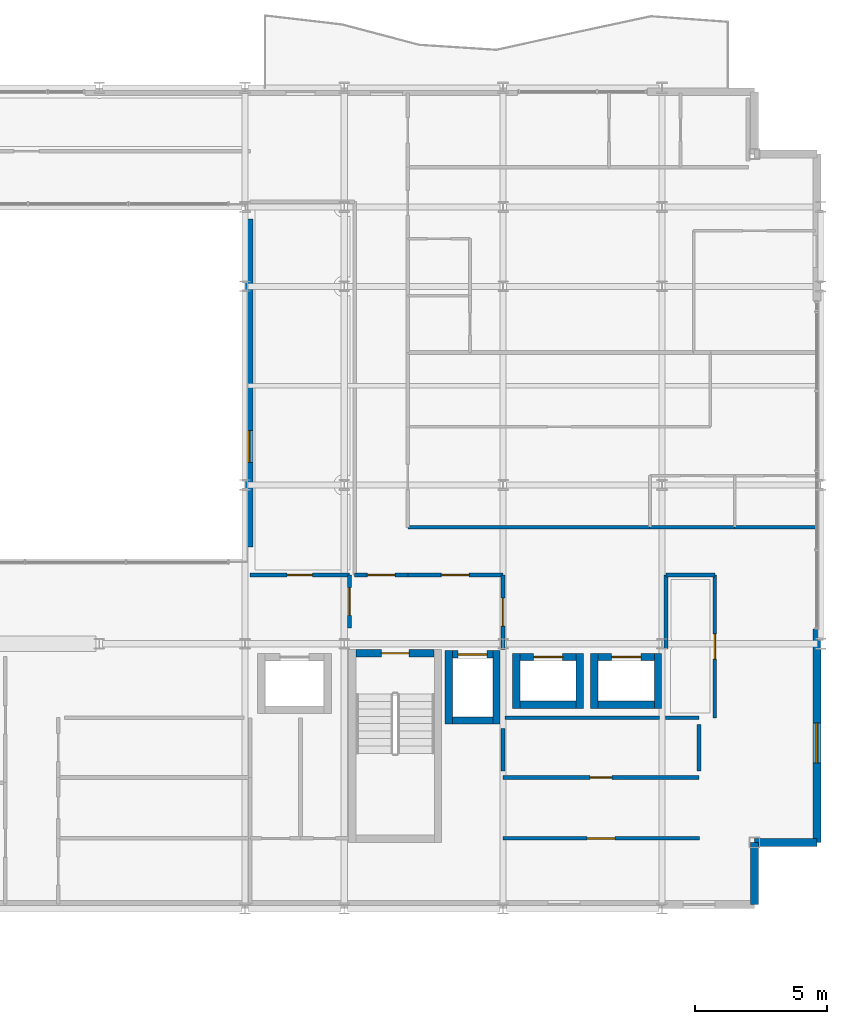
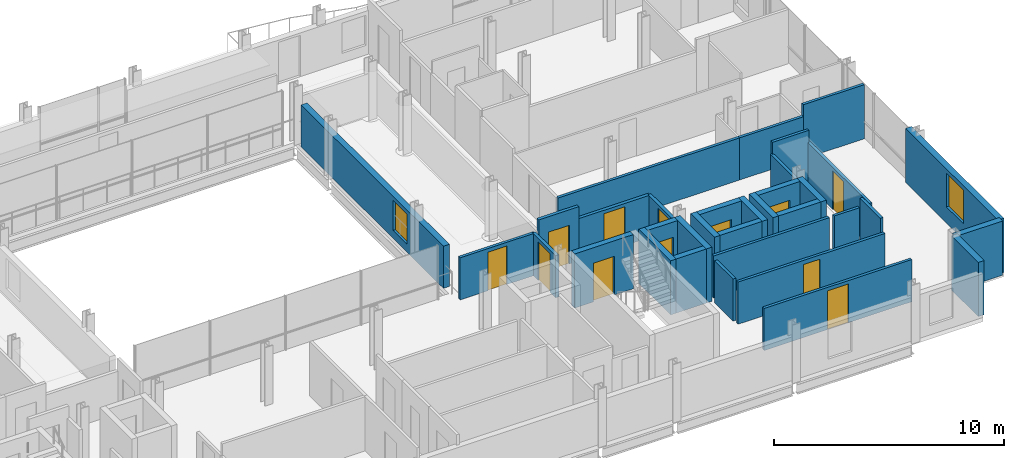
# One storey, part 36 of 41: 34 walls, 12 doors, 2 windows, 14 openings.
"""IFC4 building model written with IfcOpenShell, lengths in metres."""

from ifc_helpers import new_model, si_unit, direction, frame, frame_2d, origin, place, context, subcontext, project, spatial, rectangle, extrude, material, layer, layer_set, type_object, element, fill, save


model = new_model("IFC4")

# Units and contexts
model_context = context("Model", 3, precision=1e-05, world=origin(), true_north=direction((0.0, 1.0)))
body_context = subcontext(model_context, "Body", "Model", "MODEL_VIEW")
ifc_project = project(units=[si_unit("LENGTHUNIT", "METRE"), si_unit("AREAUNIT", "SQUARE_METRE"), si_unit("VOLUMEUNIT", "CUBIC_METRE"), si_unit("PLANEANGLEUNIT", "RADIAN"), si_unit("MASSUNIT", "GRAM", prefix="KILO")], contexts=[model_context])

# Site, building, storey
site_placement = place(None, origin())
site = spatial("IfcSite", under=ifc_project, at=site_placement, CompositionType="ELEMENT")
building_placement = place(site_placement, origin())
building = spatial("IfcBuilding", under=site, at=building_placement, Name="Brevholm Reach", CompositionType="ELEMENT")
storey_placement = place(building_placement, frame((0.0, 0.0, 151.10009765625)))
storey = spatial("IfcBuildingStorey", under=building, at=storey_placement, Name="L45", CompositionType="ELEMENT", Elevation=151.10009765625)

# Wall, opening, door
ifc_material_1 = material(Name="Concrete C50/60", Category="concrete")
ifc_layer_1 = layer(ifc_material_1, 0.280029296875)
ifc_layer_set_1 = layer_set([ifc_layer_1], Name="Concrete C50/60")
wall_type_1 = type_object("IfcWallType", Name="WAL-COR-280", PredefinedType="SHEAR", material=ifc_layer_set_1)
wall_1_placement = place(storey_placement, frame((45.39990234375, 9.639892578125, 0.0), z_axis=(0.0, 0.0, 1.0), x_axis=(-1.0, 0.0, 0.0)))
wall_1 = element("IfcWall", 1, at=wall_1_placement, inside=storey, type_object=wall_type_1, Name="L45 Escape Stair ST-2 Core Wall N", PredefinedType="SHEAR", context=body_context, shape_type="SweptSolid", body=[
    extrude(rectangle(XDim=2.949951171875, YDim=0.280029296875, at=frame_2d((1.47509765625, 0.0))), origin(), (0.0, 0.0, 1.0), 2.8798828125),
])
opening_1_placement = place(wall_1_placement, frame((0.949951171875, 0.0, 0.0)))
opening_1 = element("IfcOpeningElement", 2, at=opening_1_placement, cuts=wall_1, Name="Opening SD-ST-2", PredefinedType="OPENING", context=body_context, shape_type="SweptSolid", body=[
    extrude(rectangle(XDim=1.050048828125, YDim=2.06005859375, at=frame_2d((0.52490234375, 1.030029296875))), frame((0.0, 0.14990234375, 0.0), z_axis=(0.0, -1.0, 0.0), x_axis=(1.0, 0.0, 0.0)), (0.0, 0.0, 1.0), 0.300048828125),
])
ifc_material_2 = material(Name="Hardwood-Lipped Steel-Core Fire and Smoke Door", Category="steel")
door_type_1 = type_object("IfcDoorType", Name="DOR-INT-FD60S", OperationType="NOTDEFINED", PredefinedType="DOOR", material=ifc_material_2)
door_1_placement = place(opening_1_placement, origin())
door_1 = element("IfcDoor", 3, at=door_1_placement, inside=storey, type_object=door_type_1, Name="L45 Protected Stair ST-2 Lobby Door", OperationType="SINGLE_SWING_RIGHT", OverallHeight=2.06005859375, OverallWidth=1.050048828125, PredefinedType="DOOR", context=body_context, shape_type="SweptSolid", body=[
    extrude(rectangle(XDim=1.050048828125, YDim=2.06005859375, at=frame_2d((0.52490234375, 1.030029296875))), frame((0.0, 0.02490234375, 0.0), z_axis=(0.0, -1.0, 0.0), x_axis=(1.0, 0.0, 0.0)), (0.0, 0.0, 1.0), 0.050048828125),
])
fill(opening_1, door_1)

# Walls
for number, where, z_axis, x_axis, name in (
    (4, (45.949951171875, 6.9599609375, 0.0), (0.0, 0.0, 1.0), (0.0, 1.0, 0.0), "L45 Lift FFL-2 Shaft Wall W"),
    (5, (47.75, 6.9599609375, 0.0), (0.0, 0.0, 1.0), (0.0, 1.0, 0.0), "L45 Lift FFL-2 Shaft Wall E"),
):
    element("IfcWall", number, at=place(storey_placement, frame(where, z_axis=z_axis, x_axis=x_axis)), inside=storey, type_object=wall_type_1, Name=name, PredefinedType="SHEAR", context=body_context, shape_type="SweptSolid", body=[
        extrude(rectangle(XDim=2.780029296875, YDim=0.280029296875, at=frame_2d((1.39013671875, 0.0))), origin(), (0.0, 0.0, 1.0), 2.8798828125),
    ])
wall_2_placement = place(storey_placement, frame((46.090087890625, 7.10009765625, 0.0), z_axis=(0.0, 0.0, 1.0), x_axis=(1.0, 0.0, 0.0)))
element("IfcWall", 6, at=wall_2_placement, inside=storey, type_object=wall_type_1, Name="L45 Lift FFL-2 Shaft Wall S", PredefinedType="SHEAR", context=body_context, shape_type="SweptSolid", body=[
    extrude(rectangle(XDim=1.52001953125, YDim=0.280029296875, at=frame_2d((0.760009765625, 0.0))), origin(), (0.0, 0.0, 1.0), 2.8798828125),
])

# Wall, opening, door
wall_3_placement = place(storey_placement, frame((46.090087890625, 9.60009765625, 0.0), z_axis=(0.0, 0.0, 1.0), x_axis=(1.0, 0.0, 0.0)))
wall_3 = element("IfcWall", 7, at=wall_3_placement, inside=storey, type_object=wall_type_1, Name="L45 Lift FFL-2 Shaft Wall N", PredefinedType="SHEAR", context=body_context, shape_type="SweptSolid", body=[
    extrude(rectangle(XDim=1.52001953125, YDim=0.280029296875, at=frame_2d((0.760009765625, 0.0))), origin(), (0.0, 0.0, 1.0), 2.8798828125),
])
opening_2_placement = place(wall_3_placement, frame((0.2099609375, 0.0, 0.0)))
opening_2 = element("IfcOpeningElement", 8, at=opening_2_placement, cuts=wall_3, Name="Opening LD-FFL-2", PredefinedType="OPENING", context=body_context, shape_type="SweptSolid", body=[
    extrude(rectangle(XDim=1.10009765625, YDim=2.06005859375, at=frame_2d((0.550048828125, 1.030029296875))), frame((0.0, 0.14990234375, 0.0), z_axis=(0.0, -1.0, 0.0), x_axis=(1.0, 0.0, 0.0)), (0.0, 0.0, 1.0), 0.300048828125),
])
ifc_material_3 = material(Name="Brushed Stainless Steel Fire-Rated Sliding Lift Door", Category="steel")
door_type_2 = type_object("IfcDoorType", Name="DOR-LFT-1100", OperationType="NOTDEFINED", PredefinedType="DOOR", material=ifc_material_3)
door_2_placement = place(opening_2_placement, origin())
door_2 = element("IfcDoor", 9, at=door_2_placement, inside=storey, type_object=door_type_2, Name="L45 Lift FFL-2 Sliding Landing Door", OperationType="SLIDING_TO_RIGHT", OverallHeight=2.06005859375, OverallWidth=1.10009765625, PredefinedType="DOOR", context=body_context, shape_type="SweptSolid", body=[
    extrude(rectangle(XDim=1.10009765625, YDim=2.06005859375, at=frame_2d((0.550048828125, 1.030029296875))), frame((0.0, 0.02490234375, 0.0), z_axis=(0.0, -1.0, 0.0), x_axis=(1.0, 0.0, 0.0)), (0.0, 0.0, 1.0), 0.050048828125),
])
fill(opening_2, door_2)

# Walls
for number, where, z_axis, x_axis, name in (
    (10, (48.5, 7.56005859375, 0.0), (0.0, 0.0, 1.0), (0.0, 1.0, 0.0), "L45 Lift PL-H1 Shaft Wall W"),
    (11, (50.89990234375, 7.56005859375, 0.0), (0.0, 0.0, 1.0), (0.0, 1.0, 0.0), "L45 Lift PL-H1 Shaft Wall E"),
):
    element("IfcWall", number, at=place(storey_placement, frame(where, z_axis=z_axis, x_axis=x_axis)), inside=storey, type_object=wall_type_1, Name=name, PredefinedType="SHEAR", context=body_context, shape_type="SweptSolid", body=[
        extrude(rectangle(XDim=2.079833984375, YDim=0.280029296875, at=frame_2d((1.0400390625, 0.0))), origin(), (0.0, 0.0, 1.0), 2.8798828125),
    ])
wall_4_placement = place(storey_placement, frame((48.639892578125, 7.699951171875, 0.0), z_axis=(0.0, 0.0, 1.0), x_axis=(1.0, 0.0, 0.0)))
element("IfcWall", 12, at=wall_4_placement, inside=storey, type_object=wall_type_1, Name="L45 Lift PL-H1 Shaft Wall S", PredefinedType="SHEAR", context=body_context, shape_type="SweptSolid", body=[
    extrude(rectangle(XDim=2.1201171875, YDim=0.280029296875, at=frame_2d((1.06005859375, 0.0))), origin(), (0.0, 0.0, 1.0), 2.8798828125),
])

# Wall, opening, door
wall_5_placement = place(storey_placement, frame((48.639892578125, 9.5, 0.0), z_axis=(0.0, 0.0, 1.0), x_axis=(1.0, 0.0, 0.0)))
wall_5 = element("IfcWall", 13, at=wall_5_placement, inside=storey, type_object=wall_type_1, Name="L45 Lift PL-H1 Shaft Wall N", PredefinedType="SHEAR", context=body_context, shape_type="SweptSolid", body=[
    extrude(rectangle(XDim=2.1201171875, YDim=0.280029296875, at=frame_2d((1.06005859375, 0.0))), origin(), (0.0, 0.0, 1.0), 2.8798828125),
])
opening_3_placement = place(wall_5_placement, frame((0.510009765625, 0.0, 0.0)))
opening_3 = element("IfcOpeningElement", 14, at=opening_3_placement, cuts=wall_5, Name="Opening LD-PL-H1", PredefinedType="OPENING", context=body_context, shape_type="SweptSolid", body=[
    extrude(rectangle(XDim=1.10009765625, YDim=2.06005859375, at=frame_2d((0.550048828125, 1.030029296875))), frame((0.0, 0.14990234375, 0.0), z_axis=(0.0, -1.0, 0.0), x_axis=(1.0, 0.0, 0.0)), (0.0, 0.0, 1.0), 0.300048828125),
])
door_3_placement = place(opening_3_placement, origin())
door_3 = element("IfcDoor", 15, at=door_3_placement, inside=storey, type_object=door_type_2, Name="L45 Lift PL-H1 Sliding Landing Door", OperationType="SLIDING_TO_RIGHT", OverallHeight=2.06005859375, OverallWidth=1.10009765625, PredefinedType="DOOR", context=body_context, shape_type="SweptSolid", body=[
    extrude(rectangle(XDim=1.10009765625, YDim=2.06005859375, at=frame_2d((0.550048828125, 1.030029296875))), frame((0.0, 0.02490234375, 0.0), z_axis=(0.0, -1.0, 0.0), x_axis=(1.0, 0.0, 0.0)), (0.0, 0.0, 1.0), 0.050048828125),
])
fill(opening_3, door_3)

# Walls
for number, where, z_axis, x_axis, name in (
    (16, (51.449951171875, 7.56005859375, 0.0), (0.0, 0.0, 1.0), (0.0, 1.0, 0.0), "L45 Lift PL-H2 Shaft Wall W"),
    (17, (53.85009765625, 7.56005859375, 0.0), (0.0, 0.0, 1.0), (0.0, 1.0, 0.0), "L45 Lift PL-H2 Shaft Wall E"),
):
    element("IfcWall", number, at=place(storey_placement, frame(where, z_axis=z_axis, x_axis=x_axis)), inside=storey, type_object=wall_type_1, Name=name, PredefinedType="SHEAR", context=body_context, shape_type="SweptSolid", body=[
        extrude(rectangle(XDim=2.079833984375, YDim=0.280029296875, at=frame_2d((1.0400390625, 0.0))), origin(), (0.0, 0.0, 1.0), 2.8798828125),
    ])
wall_6_placement = place(storey_placement, frame((51.590087890625, 7.699951171875, 0.0), z_axis=(0.0, 0.0, 1.0), x_axis=(1.0, 0.0, 0.0)))
element("IfcWall", 18, at=wall_6_placement, inside=storey, type_object=wall_type_1, Name="L45 Lift PL-H2 Shaft Wall S", PredefinedType="SHEAR", context=body_context, shape_type="SweptSolid", body=[
    extrude(rectangle(XDim=2.119873046875, YDim=0.280029296875, at=frame_2d((1.06005859375, 0.0))), origin(), (0.0, 0.0, 1.0), 2.8798828125),
])

# Wall, opening, door
wall_7_placement = place(storey_placement, frame((51.590087890625, 9.5, 0.0), z_axis=(0.0, 0.0, 1.0), x_axis=(1.0, 0.0, 0.0)))
wall_7 = element("IfcWall", 19, at=wall_7_placement, inside=storey, type_object=wall_type_1, Name="L45 Lift PL-H2 Shaft Wall N", PredefinedType="SHEAR", context=body_context, shape_type="SweptSolid", body=[
    extrude(rectangle(XDim=2.119873046875, YDim=0.280029296875, at=frame_2d((1.06005859375, 0.0))), origin(), (0.0, 0.0, 1.0), 2.8798828125),
])
opening_4_placement = place(wall_7_placement, frame((0.510009765625, 0.0, 0.0)))
opening_4 = element("IfcOpeningElement", 20, at=opening_4_placement, cuts=wall_7, Name="Opening LD-PL-H2", PredefinedType="OPENING", context=body_context, shape_type="SweptSolid", body=[
    extrude(rectangle(XDim=1.10009765625, YDim=2.06005859375, at=frame_2d((0.550048828125, 1.030029296875))), frame((0.0, 0.14990234375, 0.0), z_axis=(0.0, -1.0, 0.0), x_axis=(1.0, 0.0, 0.0)), (0.0, 0.0, 1.0), 0.300048828125),
])
door_4_placement = place(opening_4_placement, origin())
door_4 = element("IfcDoor", 21, at=door_4_placement, inside=storey, type_object=door_type_2, Name="L45 Lift PL-H2 Sliding Landing Door", OperationType="SLIDING_TO_LEFT", OverallHeight=2.06005859375, OverallWidth=1.10009765625, PredefinedType="DOOR", context=body_context, shape_type="SweptSolid", body=[
    extrude(rectangle(XDim=1.10009765625, YDim=2.06005859375, at=frame_2d((0.550048828125, 1.030029296875))), frame((0.0, 0.02490234375, 0.0), z_axis=(0.0, -1.0, 0.0), x_axis=(1.0, 0.0, 0.0)), (0.0, 0.0, 1.0), 0.050048828125),
])
fill(opening_4, door_4)

# Walls
ifc_material_4 = material(Name="Concrete C40/50", Category="concrete")
ifc_layer_2 = layer(ifc_material_4, 0.300048828125)
ifc_layer_set_2 = layer_set([ifc_layer_2], Name="Concrete C40/50")
wall_type_2 = type_object("IfcWallType", Name="WAL-EXT-300", PredefinedType="STANDARD", material=ifc_layer_set_2)
for number, where, z_axis, x_axis, name in (
    (22, (57.5, 0.14990234375, 0.0), (0.0, 0.0, 1.0), (0.0, 1.0, 0.0), "L45 Facade Wall WAL-L45-CSE1"),
    (23, (57.5, 2.5, 0.0), (0.0, 0.0, 1.0), (1.0, 0.0, 0.0), "L45 Facade Wall WAL-L45-CSE2"),
):
    element("IfcWall", number, at=place(storey_placement, frame(where, z_axis=z_axis, x_axis=x_axis)), inside=storey, type_object=wall_type_2, Name=name, PredefinedType="STANDARD", context=body_context, shape_type="SweptSolid", body=[
        extrude(rectangle(XDim=2.35009765625, YDim=0.300048828125, at=frame_2d((1.175048828125, 0.0))), origin(), (0.0, 0.0, 1.0), 2.8798828125),
    ])

# Wall, opening, window
wall_8_placement = place(storey_placement, frame((59.85009765625, 2.5, 0.0), z_axis=(0.0, 0.0, 1.0), x_axis=(0.0, 1.0, 0.0)))
wall_8 = element("IfcWall", 24, at=wall_8_placement, inside=storey, type_object=wall_type_2, Name="L45 Facade Wall WAL-L45-E-S", PredefinedType="STANDARD", context=body_context, shape_type="SweptSolid", body=[
    extrude(rectangle(XDim=8.050048828125, YDim=0.300048828125, at=frame_2d((4.02490234375, 0.0))), origin(), (0.0, 0.0, 1.0), 2.8798828125),
])
opening_5_placement = place(wall_8_placement, frame((3.0, 0.0, 0.860107421875)))
opening_5 = element("IfcOpeningElement", 25, at=opening_5_placement, cuts=wall_8, Name="Opening WN-05", PredefinedType="OPENING", context=body_context, shape_type="SweptSolid", body=[
    extrude(rectangle(XDim=1.5, YDim=1.800048828125, at=frame_2d((0.75, 0.89990234375))), frame((0.0, 0.159912109375, 0.0), z_axis=(0.0, -1.0, 0.0), x_axis=(1.0, 0.0, 0.0)), (0.0, 0.0, 1.0), 0.320068359375),
])
ifc_material_5 = material(Name="Dark Anodised Aluminium and Solar-Control IGU Glass", Category="aluminium")
window_type_1 = type_object("IfcWindowType", Name="WIN-RES-1500", PartitioningType="SINGLE_PANEL", PredefinedType="WINDOW", material=ifc_material_5)
window_1_placement = place(opening_5_placement, origin())
window_1 = element("IfcWindow", 26, at=window_1_placement, inside=storey, type_object=window_type_1, Name="L45 Window WIN-L45-ES-1", OverallHeight=1.800048828125, OverallWidth=1.5, PartitioningType="SINGLE_PANEL", PredefinedType="WINDOW", context=body_context, shape_type="SweptSolid", body=[
    extrude(rectangle(XDim=1.5, YDim=1.800048828125, at=frame_2d((0.75, 0.89990234375))), frame((0.0, 0.030029296875, 0.0), z_axis=(0.0, -1.0, 0.0), x_axis=(1.0, 0.0, 0.0)), (0.0, 0.0, 1.0), 0.06005859375),
])
fill(opening_5, window_1)

wall_9_placement = place(storey_placement, frame((38.39990234375, 13.64990234375, 0.0), z_axis=(0.0, 0.0, 1.0), x_axis=(0.0, 1.0, 0.0)))
wall_9 = element("IfcWall", 27, at=wall_9_placement, inside=storey, type_object=wall_type_2, Name="L45 Facade Wall WAL-L45-AT-E", PredefinedType="STANDARD", context=body_context, shape_type="SweptSolid", body=[
    extrude(rectangle(XDim=12.400146484375, YDim=0.300048828125, at=frame_2d((6.2001953125, 0.0))), origin(), (0.0, 0.0, 1.0), 2.24267578125),
])
opening_6_placement = place(wall_9_placement, frame((3.199951171875, 0.0, 0.423095703125)))
opening_6 = element("IfcOpeningElement", 28, at=opening_6_placement, cuts=wall_9, Name="Opening WN-08", PredefinedType="OPENING", context=body_context, shape_type="SweptSolid", body=[
    extrude(rectangle(XDim=1.199951171875, YDim=1.60009765625, at=frame_2d((0.60009765625, 0.800048828125))), frame((0.0, 0.159912109375, 0.0), z_axis=(0.0, -1.0, 0.0), x_axis=(1.0, 0.0, 0.0)), (0.0, 0.0, 1.0), 0.320068359375),
])
ifc_material_6 = material(Name="Dark Anodised Aluminium and Solar-Control IGU Glass", Category="aluminium")
window_type_2 = type_object("IfcWindowType", Name="WIN-RES-1200", PartitioningType="SINGLE_PANEL", PredefinedType="WINDOW", material=ifc_material_6)
window_2_placement = place(opening_6_placement, origin())
window_2 = element("IfcWindow", 29, at=window_2_placement, inside=storey, type_object=window_type_2, Name="L45 Window WIN-L45-AT-E1", OverallHeight=1.60009765625, OverallWidth=1.199951171875, PartitioningType="SINGLE_PANEL", PredefinedType="WINDOW", context=body_context, shape_type="SweptSolid", body=[
    extrude(rectangle(XDim=1.199951171875, YDim=1.60009765625, at=frame_2d((0.60009765625, 0.800048828125))), frame((0.0, 0.030029296875, 0.0), z_axis=(0.0, -1.0, 0.0), x_axis=(1.0, 0.0, 0.0)), (0.0, 0.0, 1.0), 0.06005859375),
])
fill(opening_6, window_2)

# Wall, opening, door
ifc_material_7 = material(Name="Twin-Stud Acoustic Fire-Rated Gypsum Partition 140 mm", Category="gypsum")
ifc_layer_3 = layer(ifc_material_7, 0.139892578125)
ifc_layer_set_3 = layer_set([ifc_layer_3], Name="Twin-Stud Acoustic Fire-Rated Gypsum Partition 140 mm")
wall_type_3 = type_object("IfcWallType", Name="WAL-PRT-140", PredefinedType="PARTITIONING", material=ifc_layer_set_3)
wall_10_placement = place(storey_placement, frame((56.0, 7.188720703125, 0.0), z_axis=(0.0, 0.0, 1.0), x_axis=(0.0, 1.0, 0.0)))
wall_10 = element("IfcWall", 30, at=wall_10_placement, inside=storey, type_object=wall_type_3, Name="L45 Internal Partition 014", PredefinedType="PARTITIONING", context=body_context, shape_type="SweptSolid", body=[
    extrude(rectangle(XDim=5.411376953125, YDim=0.139892578125, at=frame_2d((2.70556640625, 0.0))), origin(), (0.0, 0.0, 1.0), 2.24267578125),
])
opening_7_placement = place(wall_10_placement, frame((2.230712890625, 0.0, 0.0)))
opening_7 = element("IfcOpeningElement", 31, at=opening_7_placement, cuts=wall_10, Name="Opening ID-30", PredefinedType="OPENING", context=body_context, shape_type="SweptSolid", body=[
    extrude(rectangle(XDim=0.949951171875, YDim=2.050048828125, at=frame_2d((0.47509765625, 1.02490234375))), frame((0.0, 0.079833984375, 0.0), z_axis=(0.0, -1.0, 0.0), x_axis=(1.0, 0.0, 0.0)), (0.0, 0.0, 1.0), 0.159912109375),
])
ifc_material_8 = material(Name="European Oak Veneered Solid-Core Fire Entrance Door", Category="timber")
door_type_3 = type_object("IfcDoorType", Name="DOR-FLT-FD30S", OperationType="NOTDEFINED", PredefinedType="DOOR", material=ifc_material_8)
door_5_placement = place(opening_7_placement, origin())
door_5 = element("IfcDoor", 32, at=door_5_placement, inside=storey, type_object=door_type_3, Name="L45 Internal Door 007", OperationType="SINGLE_SWING_LEFT", OverallHeight=2.050048828125, OverallWidth=0.949951171875, PredefinedType="DOOR", context=body_context, shape_type="SweptSolid", body=[
    extrude(rectangle(XDim=0.949951171875, YDim=2.050048828125, at=frame_2d((0.47509765625, 1.02490234375))), frame((0.0, 0.02490234375, 0.0), z_axis=(0.0, -1.0, 0.0), x_axis=(1.0, 0.0, 0.0)), (0.0, 0.0, 1.0), 0.050048828125),
])
fill(opening_7, door_5)

wall_11_placement = place(storey_placement, frame((47.98876953125, 2.64990234375, 0.0), z_axis=(0.0, 0.0, 1.0), x_axis=(1.0, 0.0, 0.0)))
wall_11 = element("IfcWall", 33, at=wall_11_placement, inside=storey, type_object=wall_type_3, Name="L45 Internal Partition 017", PredefinedType="PARTITIONING", context=body_context, shape_type="SweptSolid", body=[
    extrude(rectangle(XDim=7.422607421875, YDim=0.139892578125, at=frame_2d((3.71142578125, 0.0))), origin(), (0.0, 0.0, 1.0), 2.24267578125),
])
opening_8_placement = place(wall_11_placement, frame((3.186279296875, 0.0, 0.0)))
opening_8 = element("IfcOpeningElement", 34, at=opening_8_placement, cuts=wall_11, Name="Opening FD-01", PredefinedType="OPENING", context=body_context, shape_type="SweptSolid", body=[
    extrude(rectangle(XDim=1.050048828125, YDim=2.06005859375, at=frame_2d((0.52490234375, 1.030029296875))), frame((0.0, 0.079833984375, 0.0), z_axis=(0.0, -1.0, 0.0), x_axis=(1.0, 0.0, 0.0)), (0.0, 0.0, 1.0), 0.159912109375),
])
door_6_placement = place(opening_8_placement, origin())
door_6 = element("IfcDoor", 35, at=door_6_placement, inside=storey, type_object=door_type_1, Name="L45 Internal Door 010", OperationType="SINGLE_SWING_RIGHT", OverallHeight=2.06005859375, OverallWidth=1.050048828125, PredefinedType="DOOR", context=body_context, shape_type="SweptSolid", body=[
    extrude(rectangle(XDim=1.050048828125, YDim=2.06005859375, at=frame_2d((0.52490234375, 1.030029296875))), frame((0.0, 0.02490234375, 0.0), z_axis=(0.0, -1.0, 0.0), x_axis=(1.0, 0.0, 0.0)), (0.0, 0.0, 1.0), 0.050048828125),
])
fill(opening_8, door_6)

wall_12_placement = place(storey_placement, frame((48.0, 4.949951171875, 0.0), z_axis=(0.0, 0.0, 1.0), x_axis=(1.0, 0.0, 0.0)))
wall_12 = element("IfcWall", 36, at=wall_12_placement, inside=storey, type_object=wall_type_3, Name="L45 Internal Partition 023", PredefinedType="PARTITIONING", context=body_context, shape_type="SweptSolid", body=[
    extrude(rectangle(XDim=7.39990234375, YDim=0.139892578125, at=frame_2d((3.699951171875, 0.0))), origin(), (0.0, 0.0, 1.0), 2.24267578125),
])
opening_9_placement = place(wall_12_placement, frame((3.2900390625, 0.0, 0.0)))
opening_9 = element("IfcOpeningElement", 37, at=opening_9_placement, cuts=wall_12, Name="Opening ID-02", PredefinedType="OPENING", context=body_context, shape_type="SweptSolid", body=[
    extrude(rectangle(XDim=0.820068359375, YDim=2.02001953125, at=frame_2d((0.41015625, 1.010009765625))), frame((0.0, 0.079833984375, 0.0), z_axis=(0.0, -1.0, 0.0), x_axis=(1.0, 0.0, 0.0)), (0.0, 0.0, 1.0), 0.159912109375),
])
ifc_material_9 = material(Name="Moisture-Resistant Painted Timber Fire-Rated Riser and Service Door", Category="wood")
door_type_4 = type_object("IfcDoorType", Name="DOR-SRV-820", OperationType="NOTDEFINED", PredefinedType="DOOR", material=ifc_material_9)
door_7_placement = place(opening_9_placement, origin())
door_7 = element("IfcDoor", 38, at=door_7_placement, inside=storey, type_object=door_type_4, Name="L45 Access Door 048", OperationType="SINGLE_SWING_RIGHT", OverallHeight=2.02001953125, OverallWidth=0.820068359375, PredefinedType="DOOR", context=body_context, shape_type="SweptSolid", body=[
    extrude(rectangle(XDim=0.820068359375, YDim=2.02001953125, at=frame_2d((0.41015625, 1.010009765625))), frame((0.0, 0.02490234375, 0.0), z_axis=(0.0, -1.0, 0.0), x_axis=(1.0, 0.0, 0.0)), (0.0, 0.0, 1.0), 0.050048828125),
])
fill(opening_9, door_7)

# Walls
wall_13_placement = place(storey_placement, frame((54.138671875, 7.199951171875, 0.0), z_axis=(0.0, 0.0, 1.0), x_axis=(1.0, 0.0, 0.0)))
element("IfcWall", 39, at=wall_13_placement, inside=storey, type_object=wall_type_3, Name="L45 Internal Partition 024", PredefinedType="PARTITIONING", context=body_context, shape_type="SweptSolid", body=[
    extrude(rectangle(XDim=1.26123046875, YDim=0.139892578125, at=frame_2d((0.630615234375, 0.0))), origin(), (0.0, 0.0, 1.0), 2.24267578125),
])
wall_14_placement = place(storey_placement, frame((54.14990234375, 9.800048828125, 0.0), z_axis=(0.0, 0.0, 1.0), x_axis=(0.0, 1.0, 0.0)))
element("IfcWall", 40, at=wall_14_placement, inside=storey, type_object=wall_type_3, Name="L45 Internal Partition 035", PredefinedType="PARTITIONING", context=body_context, shape_type="SweptSolid", body=[
    extrude(rectangle(XDim=2.800048828125, YDim=0.139892578125, at=frame_2d((1.39990234375, 0.0))), origin(), (0.0, 0.0, 1.0), 2.24267578125),
])
wall_15_placement = place(storey_placement, frame((54.154052734375, 12.60009765625, 0.0), z_axis=(0.0, 0.0, 1.0), x_axis=(1.0, 0.0, 0.0)))
element("IfcWall", 41, at=wall_15_placement, inside=storey, type_object=wall_type_3, Name="L45 Internal Partition 036", PredefinedType="PARTITIONING", context=body_context, shape_type="SweptSolid", body=[
    extrude(rectangle(XDim=1.842041015625, YDim=0.139892578125, at=frame_2d((0.9208984375, 0.0))), origin(), (0.0, 0.0, 1.0), 2.8798828125),
])

# Wall, opening, door
wall_16_placement = place(storey_placement, frame((38.438720703125, 12.60009765625, 0.0), z_axis=(0.0, 0.0, 1.0), x_axis=(1.0, 0.0, 0.0)))
wall_16 = element("IfcWall", 42, at=wall_16_placement, inside=storey, type_object=wall_type_3, Name="L45 Internal Partition 037", PredefinedType="PARTITIONING", context=body_context, shape_type="SweptSolid", body=[
    extrude(rectangle(XDim=3.75732421875, YDim=0.139892578125, at=frame_2d((1.878662109375, 0.0))), origin(), (0.0, 0.0, 1.0), 2.24267578125),
])
opening_10_placement = place(wall_16_placement, frame((1.40380859375, 0.0, 0.0)))
opening_10 = element("IfcOpeningElement", 43, at=opening_10_placement, cuts=wall_16, Name="Opening ID-30", PredefinedType="OPENING", context=body_context, shape_type="SweptSolid", body=[
    extrude(rectangle(XDim=0.949951171875, YDim=2.050048828125, at=frame_2d((0.47509765625, 1.02490234375))), frame((0.0, 0.079833984375, 0.0), z_axis=(0.0, -1.0, 0.0), x_axis=(1.0, 0.0, 0.0)), (0.0, 0.0, 1.0), 0.159912109375),
])
door_8_placement = place(opening_10_placement, origin())
door_8 = element("IfcDoor", 44, at=door_8_placement, inside=storey, type_object=door_type_3, Name="L45 Internal Door 020", OperationType="SINGLE_SWING_RIGHT", OverallHeight=2.050048828125, OverallWidth=0.949951171875, PredefinedType="DOOR", context=body_context, shape_type="SweptSolid", body=[
    extrude(rectangle(XDim=0.949951171875, YDim=2.050048828125, at=frame_2d((0.47509765625, 1.02490234375))), frame((0.0, 0.02490234375, 0.0), z_axis=(0.0, -1.0, 0.0), x_axis=(1.0, 0.0, 0.0)), (0.0, 0.0, 1.0), 0.050048828125),
])
fill(opening_10, door_8)

# Walls
wall_17_placement = place(storey_placement, frame((56.73876953125, 14.39990234375, 0.0), z_axis=(0.0, 0.0, 1.0), x_axis=(1.0, 0.0, 0.0)))
element("IfcWall", 45, at=wall_17_placement, inside=storey, type_object=wall_type_3, Name="L45 Internal Partition 050", PredefinedType="PARTITIONING", context=body_context, shape_type="SweptSolid", body=[
    extrude(rectangle(XDim=3.072509765625, YDim=0.139892578125, at=frame_2d((1.5361328125, 0.0))), origin(), (0.0, 0.0, 1.0), 2.8798828125),
])
wall_18_placement = place(storey_placement, frame((53.538818359375, 14.39990234375, 0.0), z_axis=(0.0, 0.0, 1.0), x_axis=(1.0, 0.0, 0.0)))
element("IfcWall", 46, at=wall_18_placement, inside=storey, type_object=wall_type_3, Name="L45 Internal Partition 051", PredefinedType="PARTITIONING", context=body_context, shape_type="SweptSolid", body=[
    extrude(rectangle(XDim=3.218505859375, YDim=0.139892578125, at=frame_2d((1.609375, 0.0))), origin(), (0.0, 0.0, 1.0), 2.24267578125),
])
wall_19_placement = place(storey_placement, frame((44.404052734375, 14.39990234375, 0.0), z_axis=(0.0, 0.0, 1.0), x_axis=(1.0, 0.0, 0.0)))
element("IfcWall", 47, at=wall_19_placement, inside=storey, type_object=wall_type_3, Name="L45 Internal Partition 052", PredefinedType="PARTITIONING", context=body_context, shape_type="SweptSolid", body=[
    extrude(rectangle(XDim=9.1533203125, YDim=0.139892578125, at=frame_2d((4.57666015625, 0.0))), origin(), (0.0, 0.0, 1.0), 2.24267578125),
])
wall_20_placement = place(storey_placement, frame((55.39990234375, 5.18994140625, 0.0), z_axis=(0.0, 0.0, 1.0), x_axis=(0.0, 1.0, 0.0)))
element("IfcWall", 48, at=wall_20_placement, inside=storey, type_object=wall_type_3, Name="L45 Internal Partition 119", PredefinedType="PARTITIONING", context=body_context, shape_type="SweptSolid", body=[
    extrude(rectangle(XDim=1.77001953125, YDim=0.139892578125, at=frame_2d((0.885009765625, 0.0))), origin(), (0.0, 0.0, 1.0), 2.8798828125),
])
wall_21_placement = place(storey_placement, frame((48.070068359375, 7.199951171875, 0.0), z_axis=(0.0, 0.0, 1.0), x_axis=(1.0, 0.0, 0.0)))
element("IfcWall", 49, at=wall_21_placement, inside=storey, type_object=wall_type_3, Name="L45 Internal Partition 120", PredefinedType="PARTITIONING", context=body_context, shape_type="SweptSolid", body=[
    extrude(rectangle(XDim=5.82861328125, YDim=0.139892578125, at=frame_2d((2.914306640625, 0.0))), origin(), (0.0, 0.0, 1.0), 2.24267578125),
])
wall_22_placement = place(storey_placement, frame((48.0, 5.18994140625, 0.0), z_axis=(0.0, 0.0, 1.0), x_axis=(0.0, 1.0, 0.0)))
element("IfcWall", 50, at=wall_22_placement, inside=storey, type_object=wall_type_3, Name="L45 Internal Partition 121", PredefinedType="PARTITIONING", context=body_context, shape_type="SweptSolid", body=[
    extrude(rectangle(XDim=1.60888671875, YDim=0.139892578125, at=frame_2d((0.804443359375, 0.0))), origin(), (0.0, 0.0, 1.0), 2.24267578125),
])

# Wall, opening, door
ifc_material_10 = material(Name="Twin-Frame Fire-Rated Gypsum Board and Mineral Wool 160 mm", Category="gypsum")
ifc_layer_4 = layer(ifc_material_10, 0.159912109375)
ifc_layer_set_4 = layer_set([ifc_layer_4], Name="Twin-Frame Fire-Rated Gypsum Board and Mineral Wool 160 mm")
wall_type_4 = type_object("IfcWallType", Name="WAL-PRT-160", PredefinedType="PARTITIONING", material=ifc_layer_set_4)
wall_23_placement = place(storey_placement, frame((48.0, 9.788818359375, 0.0), z_axis=(0.0, 0.0, 1.0), x_axis=(0.0, 1.0, 0.0)))
wall_23 = element("IfcWall", 51, at=wall_23_placement, inside=storey, type_object=wall_type_4, Name="L45 Internal Partition 031", PredefinedType="PARTITIONING", context=body_context, shape_type="SweptSolid", body=[
    extrude(rectangle(XDim=2.811279296875, YDim=0.159912109375, at=frame_2d((1.40576171875, 0.0))), origin(), (0.0, 0.0, 1.0), 2.24267578125),
])
opening_11_placement = place(wall_23_placement, frame((0.880615234375, 0.0, 0.0)))
opening_11 = element("IfcOpeningElement", 52, at=opening_11_placement, cuts=wall_23, Name="Opening FD-01", PredefinedType="OPENING", context=body_context, shape_type="SweptSolid", body=[
    extrude(rectangle(XDim=1.050048828125, YDim=2.06005859375, at=frame_2d((0.52490234375, 1.030029296875))), frame((0.0, 0.08984375, 0.0), z_axis=(0.0, -1.0, 0.0), x_axis=(1.0, 0.0, 0.0)), (0.0, 0.0, 1.0), 0.179931640625),
])
door_9_placement = place(opening_11_placement, origin())
door_9 = element("IfcDoor", 53, at=door_9_placement, inside=storey, type_object=door_type_1, Name="L45 Internal Door 016", OperationType="SINGLE_SWING_RIGHT", OverallHeight=2.06005859375, OverallWidth=1.050048828125, PredefinedType="DOOR", context=body_context, shape_type="SweptSolid", body=[
    extrude(rectangle(XDim=1.050048828125, YDim=2.06005859375, at=frame_2d((0.52490234375, 1.030029296875))), frame((0.0, 0.02490234375, 0.0), z_axis=(0.0, -1.0, 0.0), x_axis=(1.0, 0.0, 0.0)), (0.0, 0.0, 1.0), 0.050048828125),
])
fill(opening_11, door_9)

wall_24_placement = place(storey_placement, frame((42.199951171875, 10.588623046875, 0.0), z_axis=(0.0, 0.0, 1.0), x_axis=(0.0, 1.0, 0.0)))
wall_24 = element("IfcWall", 54, at=wall_24_placement, inside=storey, type_object=wall_type_4, Name="L45 Internal Partition 032", PredefinedType="PARTITIONING", context=body_context, shape_type="SweptSolid", body=[
    extrude(rectangle(XDim=2.011474609375, YDim=0.159912109375, at=frame_2d((1.005859375, 0.0))), origin(), (0.0, 0.0, 1.0), 2.24267578125),
])
opening_12_placement = place(wall_24_placement, frame((0.480712890625, 0.0, 0.0)))
opening_12 = element("IfcOpeningElement", 55, at=opening_12_placement, cuts=wall_24, Name="Opening FD-01", PredefinedType="OPENING", context=body_context, shape_type="SweptSolid", body=[
    extrude(rectangle(XDim=1.050048828125, YDim=2.06005859375, at=frame_2d((0.52490234375, 1.030029296875))), frame((0.0, 0.08984375, 0.0), z_axis=(0.0, -1.0, 0.0), x_axis=(1.0, 0.0, 0.0)), (0.0, 0.0, 1.0), 0.179931640625),
])
door_10_placement = place(opening_12_placement, origin())
door_10 = element("IfcDoor", 56, at=door_10_placement, inside=storey, type_object=door_type_1, Name="L45 Internal Door 017", OperationType="SINGLE_SWING_LEFT", OverallHeight=2.06005859375, OverallWidth=1.050048828125, PredefinedType="DOOR", context=body_context, shape_type="SweptSolid", body=[
    extrude(rectangle(XDim=1.050048828125, YDim=2.06005859375, at=frame_2d((0.52490234375, 1.030029296875))), frame((0.0, 0.02490234375, 0.0), z_axis=(0.0, -1.0, 0.0), x_axis=(1.0, 0.0, 0.0)), (0.0, 0.0, 1.0), 0.050048828125),
])
fill(opening_12, door_10)

wall_25_placement = place(storey_placement, frame((42.388671875, 12.60009765625, 0.0), z_axis=(0.0, 0.0, 1.0), x_axis=(1.0, 0.0, 0.0)))
wall_25 = element("IfcWall", 57, at=wall_25_placement, inside=storey, type_object=wall_type_4, Name="L45 Internal Partition 033", PredefinedType="PARTITIONING", context=body_context, shape_type="SweptSolid", body=[
    extrude(rectangle(XDim=2.022705078125, YDim=0.159912109375, at=frame_2d((1.01123046875, 0.0))), origin(), (0.0, 0.0, 1.0), 2.8798828125),
])
opening_13_placement = place(wall_25_placement, frame((0.486328125, 0.0, 0.0)))
opening_13 = element("IfcOpeningElement", 58, at=opening_13_placement, cuts=wall_25, Name="Opening FD-01", PredefinedType="OPENING", context=body_context, shape_type="SweptSolid", body=[
    extrude(rectangle(XDim=1.050048828125, YDim=2.06005859375, at=frame_2d((0.52490234375, 1.030029296875))), frame((0.0, 0.08984375, 0.0), z_axis=(0.0, -1.0, 0.0), x_axis=(1.0, 0.0, 0.0)), (0.0, 0.0, 1.0), 0.179931640625),
])
door_11_placement = place(opening_13_placement, origin())
door_11 = element("IfcDoor", 59, at=door_11_placement, inside=storey, type_object=door_type_1, Name="L45 Internal Door 018", OperationType="SINGLE_SWING_RIGHT", OverallHeight=2.06005859375, OverallWidth=1.050048828125, PredefinedType="DOOR", context=body_context, shape_type="SweptSolid", body=[
    extrude(rectangle(XDim=1.050048828125, YDim=2.06005859375, at=frame_2d((0.52490234375, 1.030029296875))), frame((0.0, 0.02490234375, 0.0), z_axis=(0.0, -1.0, 0.0), x_axis=(1.0, 0.0, 0.0)), (0.0, 0.0, 1.0), 0.050048828125),
])
fill(opening_13, door_11)

wall_26_placement = place(storey_placement, frame((44.392578125, 12.60009765625, 0.0), z_axis=(0.0, 0.0, 1.0), x_axis=(1.0, 0.0, 0.0)))
wall_26 = element("IfcWall", 60, at=wall_26_placement, inside=storey, type_object=wall_type_4, Name="L45 Internal Partition 034", PredefinedType="PARTITIONING", context=body_context, shape_type="SweptSolid", body=[
    extrude(rectangle(XDim=3.607421875, YDim=0.159912109375, at=frame_2d((1.8037109375, 0.0))), origin(), (0.0, 0.0, 1.0), 2.24267578125),
])
opening_14_placement = place(wall_26_placement, frame((1.27880859375, 0.0, 0.0)))
opening_14 = element("IfcOpeningElement", 61, at=opening_14_placement, cuts=wall_26, Name="Opening FD-01", PredefinedType="OPENING", context=body_context, shape_type="SweptSolid", body=[
    extrude(rectangle(XDim=1.050048828125, YDim=2.06005859375, at=frame_2d((0.52490234375, 1.030029296875))), frame((0.0, 0.08984375, 0.0), z_axis=(0.0, -1.0, 0.0), x_axis=(1.0, 0.0, 0.0)), (0.0, 0.0, 1.0), 0.179931640625),
])
door_12_placement = place(opening_14_placement, origin())
door_12 = element("IfcDoor", 62, at=door_12_placement, inside=storey, type_object=door_type_1, Name="L45 Internal Door 019", OperationType="SINGLE_SWING_LEFT", OverallHeight=2.06005859375, OverallWidth=1.050048828125, PredefinedType="DOOR", context=body_context, shape_type="SweptSolid", body=[
    extrude(rectangle(XDim=1.050048828125, YDim=2.06005859375, at=frame_2d((0.52490234375, 1.030029296875))), frame((0.0, 0.02490234375, 0.0), z_axis=(0.0, -1.0, 0.0), x_axis=(1.0, 0.0, 0.0)), (0.0, 0.0, 1.0), 0.050048828125),
])
fill(opening_14, door_12)

save(model, "model.ifc")
